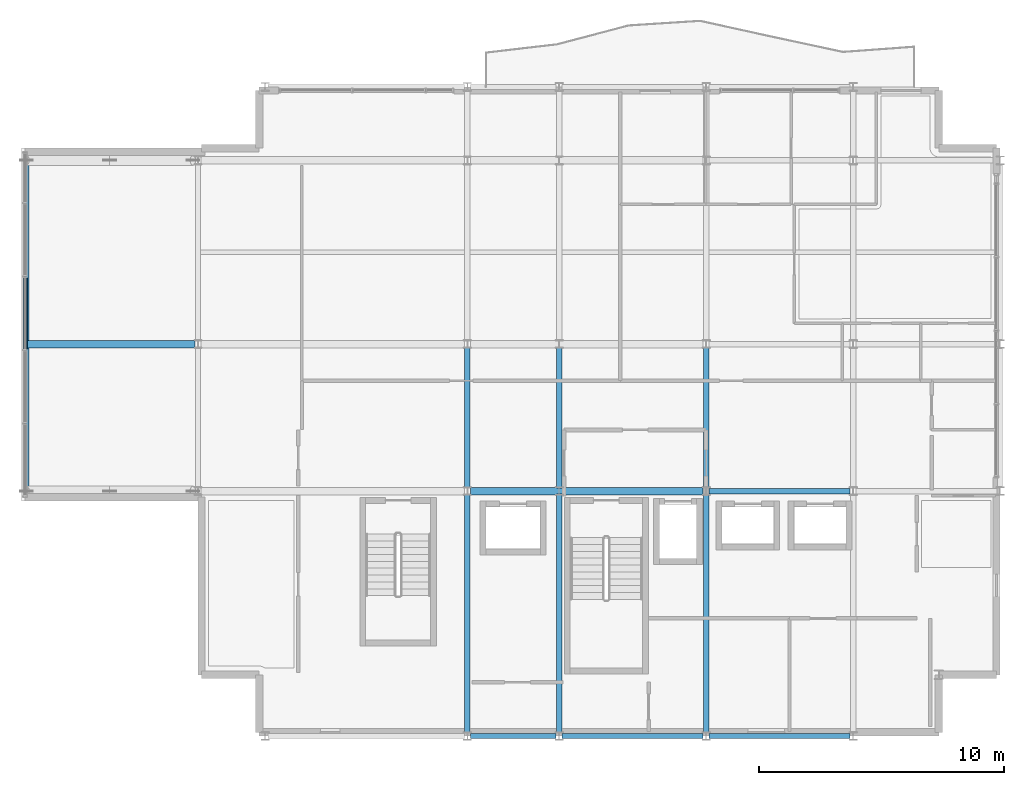
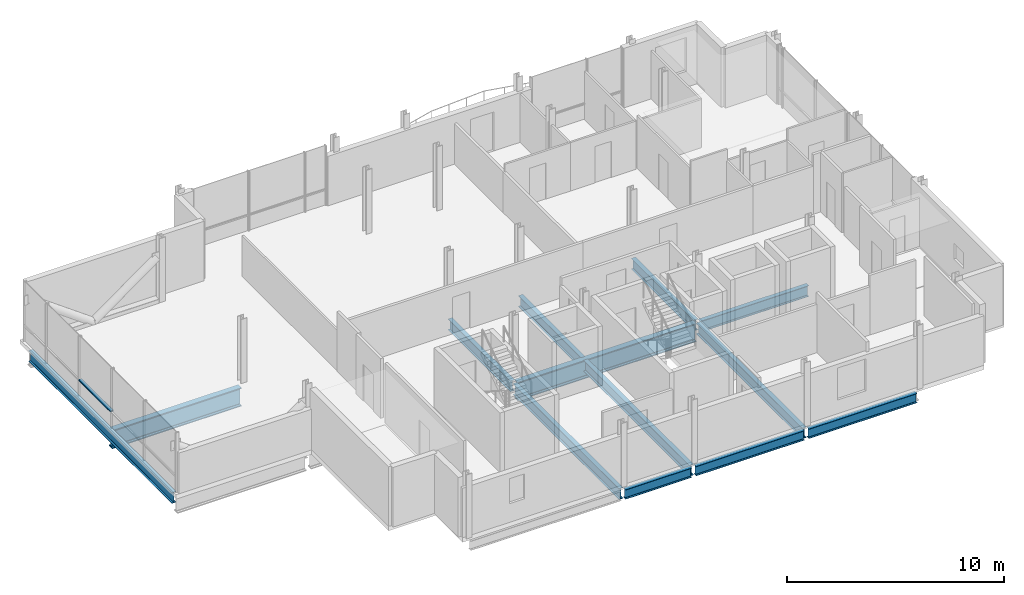
# One storey, part 3 of 18: 13 beams, 1 member, 1 element without a shape of its own.
"""IFC4 building model written with IfcOpenShell, lengths in metres."""

from ifc_helpers import new_model, si_unit, direction, frame, origin, origin_2d, place, context, subcontext, project, spatial, hollow_rectangle, i_section, extrude, material, layer, layer_set, material_profile, profile_set, type_object, element, aggregate, save


model = new_model("IFC4")

# Units and contexts
model_context = context("Model", 3, precision=1e-05, world=origin(), true_north=direction((0.0, 1.0)))
body_context = subcontext(model_context, "Body", "Model", "MODEL_VIEW")
ifc_project = project(units=[si_unit("LENGTHUNIT", "METRE"), si_unit("AREAUNIT", "SQUARE_METRE"), si_unit("VOLUMEUNIT", "CUBIC_METRE"), si_unit("PLANEANGLEUNIT", "RADIAN"), si_unit("MASSUNIT", "GRAM", prefix="KILO")], contexts=[model_context])

# Site, building, storey
site_placement = place(None, origin())
site = spatial("IfcSite", under=ifc_project, at=site_placement, CompositionType="ELEMENT")
building_placement = place(site_placement, origin())
building = spatial("IfcBuilding", under=site, at=building_placement, Name="Brevholm Reach", CompositionType="ELEMENT")
storey_placement = place(building_placement, frame((0.0, 0.0, 240.050048828125)))
storey = spatial("IfcBuildingStorey", under=building, at=storey_placement, Name="L73", CompositionType="ELEMENT", Elevation=240.050048828125)

# Beams
ifc_material_1 = material(Name="Structural Steel S355J2", Category="steel")
ifc_material_profile_1 = material_profile(ifc_material_1, i_section(OverallWidth=0.210693359375, OverallDepth=0.53955078125, WebThickness=0.01171875, FlangeThickness=0.018798828125, FilletRadius=0.0126953125, at=origin_2d()), Name="UKB 533x210x109")
ifc_profile_set_1 = profile_set([ifc_material_profile_1], Name="Structural Steel S355J2")
beam_type_1 = type_object("IfcBeamType", Name="BM-SP539", PredefinedType="SPANDREL", material=ifc_profile_set_1)
beam_1_placement = place(storey_placement, frame((38.3701171875, 0.0, -0.519775390625), z_axis=(1.0, 0.0, 0.0), x_axis=(0.0, 1.0, 0.0)))
element("IfcBeam", 1, at=beam_1_placement, inside=storey, type_object=beam_type_1, Name="L73 SP-01B Framing Beam", PredefinedType="SPANDREL", context=body_context, shape_type="SweptSolid", body=[
    extrude(i_section(OverallWidth=0.210693359375, OverallDepth=0.53955078125, WebThickness=0.01171875, FlangeThickness=0.018798828125, FilletRadius=0.0126953125, at=origin_2d()), origin(), (0.0, 0.0, 1.0), 3.509765625),
])
for number, where, z_axis, x_axis, name in (
    (2, (42.1201171875, 0.0, -0.519775390625), (1.0, 0.0, 0.0), (0.0, 1.0, 0.0), "L73 SP-01B Framing Beam"),
    (3, (48.1201171875, 0.0, -0.519775390625), (1.0, 0.0, 0.0), (0.0, 1.0, 0.0), "L73 SP-01B Framing Beam"),
):
    element("IfcBeam", number, at=place(storey_placement, frame(where, z_axis=z_axis, x_axis=x_axis)), inside=storey, type_object=beam_type_1, Name=name, PredefinedType="SPANDREL", context=body_context, shape_type="SweptSolid", body=[
        extrude(i_section(OverallWidth=0.210693359375, OverallDepth=0.53955078125, WebThickness=0.01171875, FlangeThickness=0.018798828125, FilletRadius=0.0126953125, at=origin_2d()), origin(), (0.0, 0.0, 1.0), 5.759765625),
    ])
ifc_material_2 = material(Name="Structural Steel S355J2", Category="steel")
ifc_material_profile_2 = material_profile(ifc_material_2, i_section(OverallWidth=0.22900390625, OverallDepth=0.6123046875, WebThickness=0.011962890625, FlangeThickness=0.01953125, FilletRadius=0.0126953125, at=origin_2d()), Name="UKB 610x229x125")
ifc_profile_set_2 = profile_set([ifc_material_profile_2], Name="Structural Steel S355J2")
beam_type_2 = type_object("IfcBeamType", Name="BM-SP610", PredefinedType="SPANDREL", material=ifc_profile_set_2)
beam_2_placement = place(storey_placement, frame((20.25, 10.14990234375, -0.55615234375), z_axis=(0.0, 1.0, 0.0), x_axis=(-1.0, 0.0, 0.0)))
element("IfcBeam", 4, at=beam_2_placement, inside=storey, type_object=beam_type_2, Name="L73 Sky-Lounge Tip Spandrel Beam", PredefinedType="SPANDREL", context=body_context, shape_type="SweptSolid", body=[
    extrude(i_section(OverallWidth=0.22900390625, OverallDepth=0.6123046875, WebThickness=0.011962890625, FlangeThickness=0.01953125, FilletRadius=0.0126953125, at=origin_2d()), origin(), (0.0, 0.0, 1.0), 13.2001953125),
])
beam_3_placement = place(storey_placement, frame((48.1201171875, 10.0, -0.55615234375), z_axis=(1.0, 0.0, 0.0), x_axis=(0.0, 1.0, 0.0)))
element("IfcBeam", 5, at=beam_3_placement, inside=storey, type_object=beam_type_2, Name="L73 SP-01 Framing Beam", PredefinedType="SPANDREL", context=body_context, shape_type="SweptSolid", body=[
    extrude(i_section(OverallWidth=0.22900390625, OverallDepth=0.6123046875, WebThickness=0.011962890625, FlangeThickness=0.01953125, FilletRadius=0.0126953125, at=origin_2d()), origin(), (0.0, 0.0, 1.0), 5.759765625),
])
beam_4_placement = place(storey_placement, frame((38.25, 0.1201171875, -0.55615234375), z_axis=(0.0, 1.0, 0.0), x_axis=(-1.0, 0.0, 0.0)))
element("IfcBeam", 6, at=beam_4_placement, inside=storey, type_object=beam_type_2, Name="L73 SP-01 Framing Beam", PredefinedType="SPANDREL", context=body_context, shape_type="SweptSolid", body=[
    extrude(i_section(OverallWidth=0.22900390625, OverallDepth=0.6123046875, WebThickness=0.011962890625, FlangeThickness=0.01953125, FilletRadius=0.0126953125, at=origin_2d()), origin(), (0.0, 0.0, 1.0), 9.759765625),
])
beam_5_placement = place(storey_placement, frame((38.25, 10.1201171875, -0.55615234375), z_axis=(0.0, 1.0, 0.0), x_axis=(-1.0, 0.0, 0.0)))
element("IfcBeam", 7, at=beam_5_placement, inside=storey, type_object=beam_type_2, Name="L73 SP-01 Framing Beam", PredefinedType="SPANDREL", context=body_context, shape_type="SweptSolid", body=[
    extrude(i_section(OverallWidth=0.22900390625, OverallDepth=0.6123046875, WebThickness=0.011962890625, FlangeThickness=0.01953125, FilletRadius=0.0126953125, at=origin_2d()), origin(), (0.0, 0.0, 1.0), 5.759765625),
])
beam_6_placement = place(storey_placement, frame((42.0, 0.1201171875, -0.55615234375), z_axis=(0.0, 1.0, 0.0), x_axis=(-1.0, 0.0, 0.0)))
element("IfcBeam", 8, at=beam_6_placement, inside=storey, type_object=beam_type_2, Name="L73 SP-01 Framing Beam", PredefinedType="SPANDREL", context=body_context, shape_type="SweptSolid", body=[
    extrude(i_section(OverallWidth=0.22900390625, OverallDepth=0.6123046875, WebThickness=0.011962890625, FlangeThickness=0.01953125, FilletRadius=0.0126953125, at=origin_2d()), origin(), (0.0, 0.0, 1.0), 9.759765625),
])
beam_7_placement = place(storey_placement, frame((42.0, 10.1201171875, -0.55615234375), z_axis=(0.0, 1.0, 0.0), x_axis=(-1.0, 0.0, 0.0)))
element("IfcBeam", 9, at=beam_7_placement, inside=storey, type_object=beam_type_2, Name="L73 SP-01 Framing Beam", PredefinedType="SPANDREL", context=body_context, shape_type="SweptSolid", body=[
    extrude(i_section(OverallWidth=0.22900390625, OverallDepth=0.6123046875, WebThickness=0.011962890625, FlangeThickness=0.01953125, FilletRadius=0.0126953125, at=origin_2d()), origin(), (0.0, 0.0, 1.0), 5.759765625),
])
beam_8_placement = place(storey_placement, frame((48.0, 0.1201171875, -0.55615234375), z_axis=(0.0, 1.0, 0.0), x_axis=(-1.0, 0.0, 0.0)))
element("IfcBeam", 10, at=beam_8_placement, inside=storey, type_object=beam_type_2, Name="L73 SP-01 Framing Beam", PredefinedType="SPANDREL", context=body_context, shape_type="SweptSolid", body=[
    extrude(i_section(OverallWidth=0.22900390625, OverallDepth=0.6123046875, WebThickness=0.011962890625, FlangeThickness=0.01953125, FilletRadius=0.0126953125, at=origin_2d()), origin(), (0.0, 0.0, 1.0), 9.759765625),
])
beam_9_placement = place(storey_placement, frame((48.0, 10.1201171875, -0.55615234375), z_axis=(0.0, 1.0, 0.0), x_axis=(-1.0, 0.0, 0.0)))
element("IfcBeam", 11, at=beam_9_placement, inside=storey, type_object=beam_type_2, Name="L73 SP-01 Framing Beam", PredefinedType="SPANDREL", context=body_context, shape_type="SweptSolid", body=[
    extrude(i_section(OverallWidth=0.22900390625, OverallDepth=0.6123046875, WebThickness=0.011962890625, FlangeThickness=0.01953125, FilletRadius=0.0126953125, at=origin_2d()), origin(), (0.0, 0.0, 1.0), 5.759765625),
])
ifc_material_3 = material(Name="Structural Steel S460ML", Category="steel")
ifc_material_profile_3 = material_profile(ifc_material_3, i_section(OverallWidth=0.30859375, OverallDepth=1.036376953125, WebThickness=0.030029296875, FlangeThickness=0.05419921875, FilletRadius=0.030029296875, at=origin_2d()), Name="UKB 1016x305x487")
ifc_profile_set_3 = profile_set([ifc_material_profile_3], Name="Structural Steel S460ML")
beam_type_3 = type_object("IfcBeamType", Name="BM-UKB1016", PredefinedType="USERDEFINED", material=ifc_profile_set_3)
beam_10_placement = place(storey_placement, frame((38.3701171875, 10.0, -0.768310546875), z_axis=(1.0, 0.0, 0.0), x_axis=(0.0, 1.0, 0.0)))
element("IfcBeam", 12, at=beam_10_placement, inside=storey, type_object=beam_type_3, Name="L73 Sky-Lounge Back-Span Girder 2", ObjectType="GIRDER", PredefinedType="USERDEFINED", context=body_context, shape_type="SweptSolid", body=[
    extrude(i_section(OverallWidth=0.30859375, OverallDepth=1.036376953125, WebThickness=0.030029296875, FlangeThickness=0.05419921875, FilletRadius=0.030029296875, at=origin_2d()), origin(), (0.0, 0.0, 1.0), 9.5),
])
beam_11_placement = place(storey_placement, frame((20.25, 16.0, -0.768310546875), z_axis=(1.0, 0.0, 0.0), x_axis=(0.0, 1.0, 0.0)))
element("IfcBeam", 13, at=beam_11_placement, inside=storey, type_object=beam_type_3, Name="L73 Sky-Lounge Cantilever Girder", ObjectType="GIRDER", PredefinedType="USERDEFINED", context=body_context, shape_type="SweptSolid", body=[
    extrude(i_section(OverallWidth=0.30859375, OverallDepth=1.036376953125, WebThickness=0.030029296875, FlangeThickness=0.05419921875, FilletRadius=0.030029296875, at=origin_2d()), origin(), (0.0, 0.0, 1.0), 6.8798828125),
])

# Curtain wall, member
ifc_material_4 = material(Name="Dark Anodised Aluminium 6063-T6 and Solar-Control Glass", Category="aluminium")
ifc_layer = layer(ifc_material_4, 0.179931640625)
ifc_layer_set = layer_set([ifc_layer], Name="Dark Anodised Aluminium 6063-T6 and Solar-Control Glass")
curtain_wall_type = type_object("IfcCurtainWallType", Name="CW-05", PredefinedType="NOTDEFINED", material=ifc_layer_set)
curtain_wall_placement = place(storey_placement, origin())
curtain_wall = element("IfcCurtainWall", 14, at=curtain_wall_placement, inside=storey, type_object=curtain_wall_type, Name="L73 Curtain Wall CW-05", PredefinedType="NOTDEFINED")
ifc_material_5 = material(Name="Dark Anodised Aluminium 6063-T6", Category="aluminium")
ifc_material_profile_4 = material_profile(ifc_material_5, hollow_rectangle(XDim=0.074951171875, YDim=0.179931640625, WallThickness=0.006103515625, InnerFilletRadius=0.006103515625, OuterFilletRadius=0.011962890625, at=origin_2d()), Name="RHS 180x75x6")
ifc_profile_set_4 = profile_set([ifc_material_profile_4], Name="Dark Anodised Aluminium 6063-T6")
member_type = type_object("IfcMemberType", Name="CWT-180", PredefinedType="NOTDEFINED", material=ifc_profile_set_4)
member_placement = place(storey_placement, frame((20.199951171875, 15.78759765625, 0.89990234375), z_axis=(0.0, 1.0, 0.0), x_axis=(0.0, 0.0, 1.0)))
member = element("IfcMember", 15, at=member_placement, type_object=member_type, Name="CT-180 Transom 3.1", ObjectType="TRANSOM", PredefinedType="USERDEFINED", context=body_context, shape_type="SweptSolid", body=[
    extrude(hollow_rectangle(XDim=0.074951171875, YDim=0.179931640625, WallThickness=0.006103515625, InnerFilletRadius=0.006103515625, OuterFilletRadius=0.011962890625, at=origin_2d()), origin(), (0.0, 0.0, 1.0), 2.9248046875),
])
aggregate(curtain_wall, [member])

save(model, "model.ifc")
